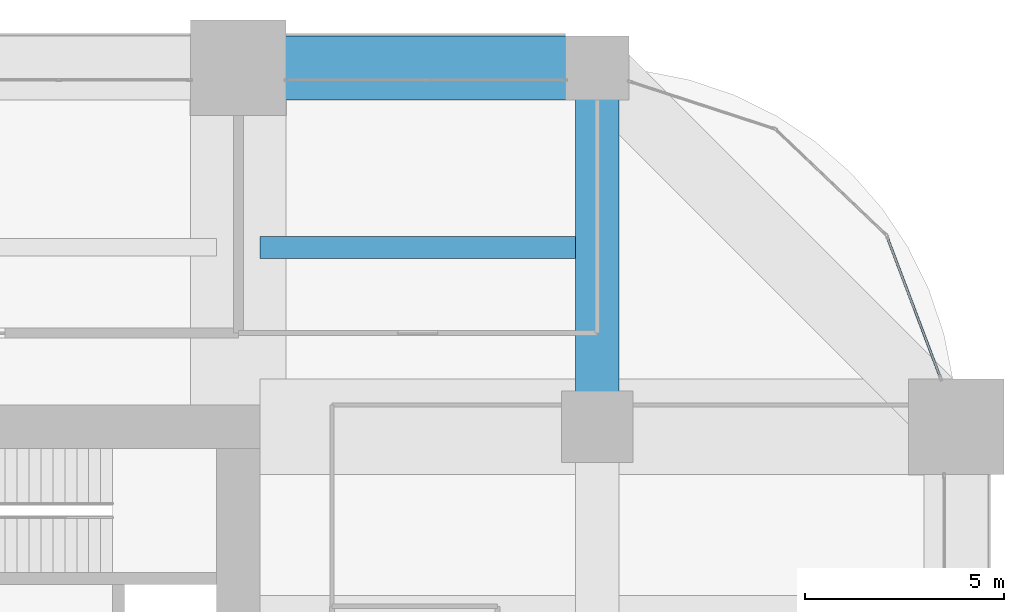
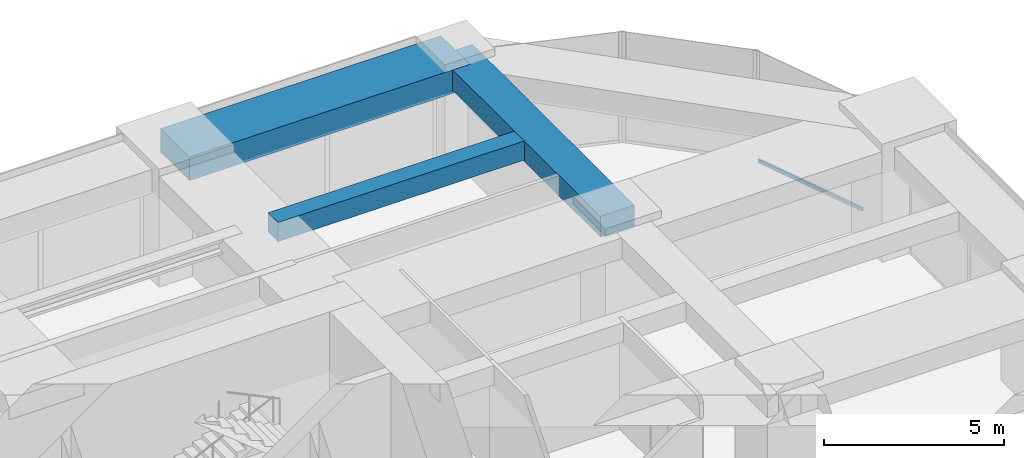
# One storey, part 34 of 42: 3 beams, 1 member, 1 element without a shape of its own.
"""IFC4 building model written with IfcOpenShell, lengths in metres."""

from ifc_helpers import new_model, si_unit, direction, frame, origin, origin_2d, place, context, subcontext, project, spatial, rectangle, hollow_rectangle, extrude, material, material_profile, profile_set, type_object, element, aggregate, save


model = new_model("IFC4")

# Units and contexts
model_context = context("Model", 3, precision=1e-05, world=origin(), true_north=direction((0.0, 1.0)))
body_context = subcontext(model_context, "Body", "Model", "MODEL_VIEW")
ifc_project = project(units=[si_unit("LENGTHUNIT", "METRE"), si_unit("AREAUNIT", "SQUARE_METRE"), si_unit("VOLUMEUNIT", "CUBIC_METRE"), si_unit("PLANEANGLEUNIT", "RADIAN"), si_unit("MASSUNIT", "GRAM", prefix="KILO")], contexts=[model_context])

# Site, building, storey
site_placement = place(None, origin())
site = spatial("IfcSite", under=ifc_project, at=site_placement, CompositionType="ELEMENT")
building_placement = place(site_placement, origin())
building = spatial("IfcBuilding", under=site, at=building_placement, Name="Zorevar Civic Tower", CompositionType="ELEMENT")
storey_placement = place(building_placement, frame((0.0, 0.0, 149.0)))
storey = spatial("IfcBuildingStorey", under=building, at=storey_placement, Name="L36", CompositionType="ELEMENT", Elevation=149.0)

# Beams
ifc_material_1 = material(Name="Concrete C50/60", Category="concrete")
ifc_material_profile_1 = material_profile(ifc_material_1, rectangle(XDim=1.10009765625, YDim=0.699951171875, at=origin_2d()), Name="RC 1100x700")
ifc_profile_set_1 = profile_set([ifc_material_profile_1], Name="Concrete C50/60")
beam_type_1 = type_object("IfcBeamType", Name="Beam RC 1100x700", PredefinedType="BEAM", material=ifc_profile_set_1)
beam_1_placement = place(storey_placement, frame((54.0, 36.0, 3.39990234375), z_axis=(0.0, 1.0, 0.0), x_axis=(-1.0, 0.0, 0.0)))
element("IfcBeam", 1, at=beam_1_placement, inside=storey, type_object=beam_type_1, Name="Girder L37", PredefinedType="BEAM", context=body_context, shape_type="SweptSolid", body=[
    extrude(rectangle(XDim=1.10009765625, YDim=0.699951171875, at=origin_2d()), origin(), (0.0, 0.0, 1.0), 9.0),
])
ifc_material_2 = material(Name="Concrete C50/60", Category="concrete")
ifc_material_profile_2 = material_profile(ifc_material_2, rectangle(XDim=0.550048828125, YDim=0.64990234375, at=origin_2d()), Name="RC 550x650")
ifc_profile_set_2 = profile_set([ifc_material_profile_2], Name="Concrete C50/60")
beam_type_2 = type_object("IfcBeamType", Name="Beam RC 550x650", PredefinedType="BEAM", material=ifc_profile_set_2)
beam_2_placement = place(storey_placement, frame((45.550048828125, 40.5, 3.425048828125), z_axis=(1.0, 0.0, 0.0), x_axis=(0.0, 1.0, 0.0)))
element("IfcBeam", 2, at=beam_2_placement, inside=storey, type_object=beam_type_2, Name="Secondary beam L37", PredefinedType="BEAM", context=body_context, shape_type="SweptSolid", body=[
    extrude(rectangle(XDim=0.550048828125, YDim=0.64990234375, at=origin_2d()), origin(), (0.0, 0.0, 1.0), 7.89990234375),
])

# Curtain wall, member
ifc_material_3 = material(Name="Dark grey solar-control glass in black aluminium frame", Category="aluminium")
curtain_wall_type = type_object("IfcCurtainWallType", Name="Curtain wall CW3 mid zone", PredefinedType="NOTDEFINED", material=ifc_material_3)
curtain_wall_placement = place(storey_placement, origin())
curtain_wall = element("IfcCurtainWall", 3, at=curtain_wall_placement, inside=storey, type_object=curtain_wall_type, Name="CW3 L36", PredefinedType="NOTDEFINED")
ifc_material_4 = material(Name="Aluminium, black anodised", Category="aluminium")
ifc_material_profile_3 = material_profile(ifc_material_4, hollow_rectangle(XDim=0.06005859375, YDim=0.1201171875, WallThickness=0.0029296875, at=origin_2d()), Name="AL 120x60x3")
ifc_profile_set_3 = profile_set([ifc_material_profile_3], Name="Aluminium, black anodised")
member_type = type_object("IfcMemberType", Name="CW3 transom AL 120x60x3", PredefinedType="USERDEFINED", material=ifc_profile_set_3)
member_placement = place(storey_placement, frame((62.595458984375, 37.256103515625, 0.030029296875), z_axis=(-0.353923007857, 0.93527456103, 0.0), x_axis=(-0.93527456103, -0.353923007857, 0.0)))
member = element("IfcMember", 4, at=member_placement, type_object=member_type, Name="CW3 sill transom", ObjectType="TRANSOM", PredefinedType="USERDEFINED", context=body_context, shape_type="SweptSolid", body=[
    extrude(hollow_rectangle(XDim=0.06005859375, YDim=0.1201171875, WallThickness=0.0029296875, at=origin_2d()), origin(), (0.0, 0.0, 1.0), 3.734619140625),
])
aggregate(curtain_wall, [member])

# Beam
ifc_material_5 = material(Name="Concrete C50/60", Category="concrete")
ifc_material_profile_4 = material_profile(ifc_material_5, rectangle(XDim=1.60009765625, YDim=0.800048828125, at=origin_2d()), Name="RC 1600x800")
ifc_profile_set_4 = profile_set([ifc_material_profile_4], Name="Concrete C50/60")
beam_type_3 = type_object("IfcBeamType", Name="Edge beam RC 1600x800", PredefinedType="SPANDREL", material=ifc_profile_set_4)
beam_3_placement = place(storey_placement, frame((45.0, 45.0, 3.35009765625), z_axis=(1.0, 0.0, 0.0), x_axis=(0.0, 1.0, 0.0)))
element("IfcBeam", 5, at=beam_3_placement, inside=storey, type_object=beam_type_3, Name="Edge beam L37", PredefinedType="SPANDREL", context=body_context, shape_type="SweptSolid", body=[
    extrude(rectangle(XDim=1.60009765625, YDim=0.800048828125, at=origin_2d()), origin(), (0.0, 0.0, 1.0), 9.0),
])

save(model, "model.ifc")
